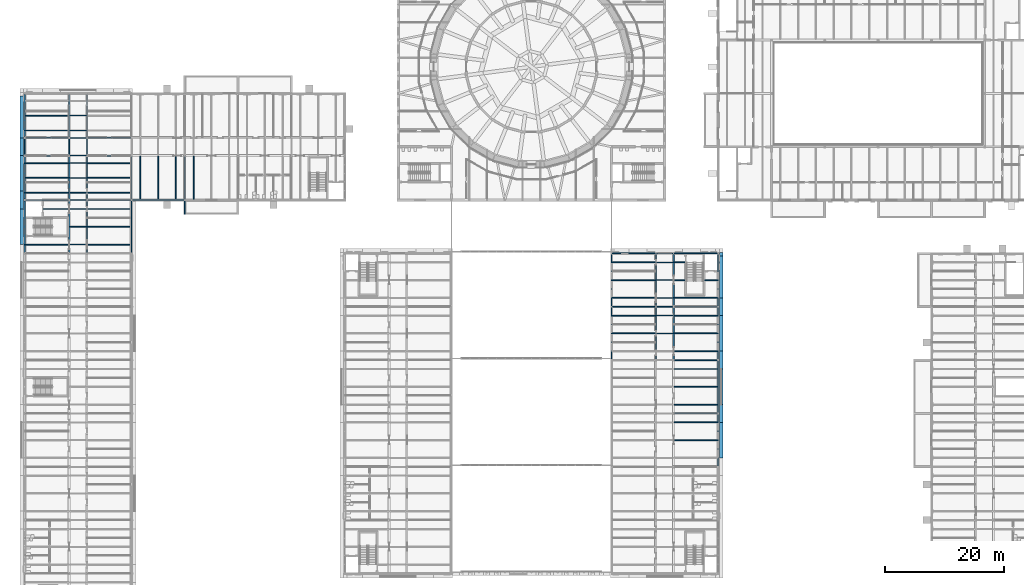
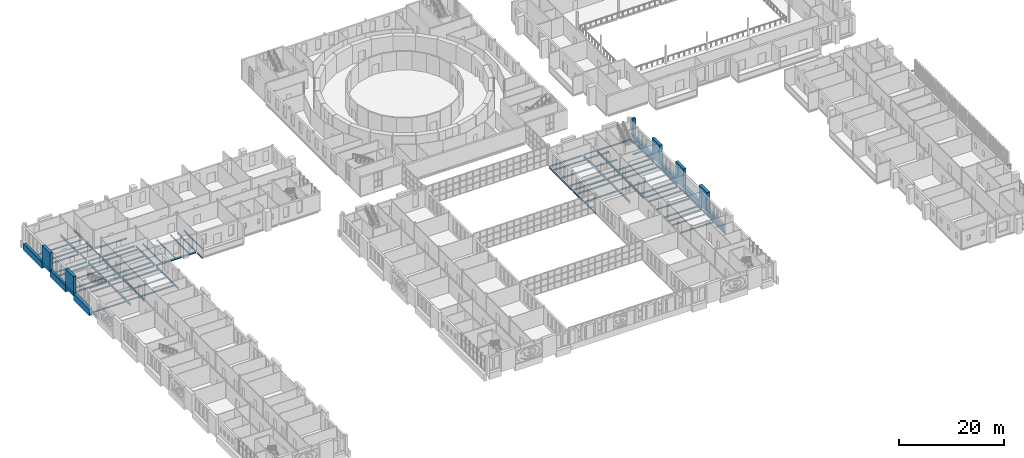
# One storey, part 40 of 131: 98 beams, 6 members.
"""IFC4 building model written with IfcOpenShell, lengths in metres."""

from ifc_helpers import new_model, si_unit, direction, frame, origin, origin_2d, place, context, subcontext, project, spatial, rectangle, i_section, extrude, material, material_profile, profile_set, type_object, element, save


model = new_model("IFC4")

# Units and contexts
model_context = context("Model", 3, precision=1e-05, world=origin(), true_north=direction((0.0, 1.0)))
body_context = subcontext(model_context, "Body", "Model", "MODEL_VIEW")
ifc_project = project(units=[si_unit("LENGTHUNIT", "METRE"), si_unit("AREAUNIT", "SQUARE_METRE"), si_unit("VOLUMEUNIT", "CUBIC_METRE"), si_unit("PLANEANGLEUNIT", "RADIAN"), si_unit("MASSUNIT", "GRAM", prefix="KILO")], contexts=[model_context])

# Site, building, storey
site_placement = place(None, origin())
site = spatial("IfcSite", under=ifc_project, at=site_placement, CompositionType="ELEMENT")
building_placement = place(site_placement, origin())
building = spatial("IfcBuilding", under=site, at=building_placement, Name="Golden Quay Civic Hall", CompositionType="ELEMENT")
storey_placement = place(building_placement, frame((0.0, 0.0, 9.89990234375)))
storey = spatial("IfcBuildingStorey", under=building, at=storey_placement, Name="L02", CompositionType="ELEMENT", Elevation=9.89990234375)

# Beam
ifc_material_1 = material(Name="Steel S355", Category="steel")
ifc_material_profile_1 = material_profile(ifc_material_1, i_section(OverallWidth=0.159912109375, OverallDepth=0.330078125, WebThickness=0.007568359375, FlangeThickness=0.011474609375, FilletRadius=0.01806640625, at=origin_2d()), Name="IPE 330")
ifc_profile_set_1 = profile_set([ifc_material_profile_1], Name="Steel S355")
beam_type_1 = type_object("IfcBeamType", Name="Loggia stub IPE 330", PredefinedType="BEAM", material=ifc_profile_set_1)
beam_1_placement = place(storey_placement, frame((27.0, 62.864990234375, -0.364990234375), z_axis=(0.0, -1.0, 0.0), x_axis=(1.0, 0.0, 0.0)))
element("IfcBeam", 1, at=beam_1_placement, inside=storey, type_object=beam_type_1, Name="Loggia stub IPE 330 L02 6", PredefinedType="BEAM", context=body_context, shape_type="SweptSolid", body=[
    extrude(i_section(OverallWidth=0.159912109375, OverallDepth=0.330078125, WebThickness=0.007568359375, FlangeThickness=0.011474609375, FilletRadius=0.01806640625, at=origin_2d()), origin(), (0.0, 0.0, 1.0), 2.215087890625),
])

# Members
ifc_material_2 = material(Name="Concrete C40/50", Category="concrete")
ifc_material_profile_2 = material_profile(ifc_material_2, rectangle(XDim=3.0, YDim=0.60009765625, at=origin_2d()), Name="RC 3000x600")
ifc_profile_set_2 = profile_set([ifc_material_profile_2], Name="Concrete C40/50")
member_type_1 = type_object("IfcMemberType", Name="Precast concrete facade pier 3000 x 600", PredefinedType="POST", material=ifc_profile_set_2)
for number, where, z_axis, x_axis, name in (
    (2, (-0.5, 63.0, 0.0), (0.0, 0.0, 1.0), (0.0, 1.0, 0.0), "Precast concrete facade pier 3000 x 600 L02 7"),
    (3, (-0.5, 72.0, 0.0), (0.0, 0.0, 1.0), (0.0, 1.0, 0.0), "Precast concrete facade pier 3000 x 600 L02 8"),
    (4, (117.5, 27.0, 0.0), (0.0, 0.0, 1.0), (0.0, 1.0, 0.0), "Precast concrete facade pier 3000 x 600 L02 30"),
    (5, (117.5, 36.0, 0.0), (0.0, 0.0, 1.0), (0.0, 1.0, 0.0), "Precast concrete facade pier 3000 x 600 L02 31"),
    (6, (117.5, 45.0, 0.0), (0.0, 0.0, 1.0), (0.0, 1.0, 0.0), "Precast concrete facade pier 3000 x 600 L02 32"),
):
    element("IfcMember", number, at=place(storey_placement, frame(where, z_axis=z_axis, x_axis=x_axis)), inside=storey, type_object=member_type_1, Name=name, PredefinedType="POST", context=body_context, shape_type="SweptSolid", body=[
        extrude(rectangle(XDim=3.0, YDim=0.60009765625, at=origin_2d()), origin(), (0.0, 0.0, 1.0), 4.5),
    ])
ifc_material_3 = material(Name="Concrete C40/50", Category="concrete")
ifc_material_profile_3 = material_profile(ifc_material_3, rectangle(XDim=0.60009765625, YDim=0.60009765625, at=origin_2d()), Name="RC 600x600")
ifc_profile_set_3 = profile_set([ifc_material_profile_3], Name="Concrete C40/50")
member_type_2 = type_object("IfcMemberType", Name="Precast concrete facade post 600 x 600", PredefinedType="POST", material=ifc_profile_set_3)
member_placement = place(storey_placement, frame((117.5, 53.89990234375, 0.0), z_axis=(0.0, 0.0, 1.0), x_axis=(1.0, 0.0, 0.0)))
element("IfcMember", 7, at=member_placement, inside=storey, type_object=member_type_2, Name="Precast concrete facade post 600 x 600 L02 12", PredefinedType="POST", context=body_context, shape_type="SweptSolid", body=[
    extrude(rectangle(XDim=0.60009765625, YDim=0.60009765625, at=origin_2d()), origin(), (0.0, 0.0, 1.0), 4.5),
])

# Beams
ifc_material_4 = material(Name="Concrete C40/50", Category="concrete")
ifc_material_profile_4 = material_profile(ifc_material_4, rectangle(XDim=0.60009765625, YDim=1.5, at=origin_2d()), Name="RC 600x1500")
ifc_profile_set_4 = profile_set([ifc_material_profile_4], Name="Concrete C40/50")
beam_type_2 = type_object("IfcBeamType", Name="Precast concrete spandrel beam 600 x 1500", PredefinedType="SPANDREL", material=ifc_profile_set_4)
beam_2_placement = place(storey_placement, frame((-0.5, 73.5, -0.14990234375), z_axis=(0.0, 1.0, 0.0), x_axis=(-1.0, 0.0, 0.0)))
element("IfcBeam", 8, at=beam_2_placement, inside=storey, type_object=beam_type_2, Name="Precast concrete spandrel beam 600 x 1500 L02 3", PredefinedType="SPANDREL", context=body_context, shape_type="SweptSolid", body=[
    extrude(rectangle(XDim=0.60009765625, YDim=1.5, at=origin_2d()), origin(), (0.0, 0.0, 1.0), 7.10009765625),
])
for number, where, z_axis, x_axis, name in (
    (9, (-0.5, 64.5, -0.14990234375), (0.0, 1.0, 0.0), (-1.0, 0.0, 0.0), "Precast concrete spandrel beam 600 x 1500 L02 6"),
    (10, (-0.5, 55.5, -0.14990234375), (0.0, 1.0, 0.0), (-1.0, 0.0, 0.0), "Precast concrete spandrel beam 600 x 1500 L02 7"),
):
    element("IfcBeam", number, at=place(storey_placement, frame(where, z_axis=z_axis, x_axis=x_axis)), inside=storey, type_object=beam_type_2, Name=name, PredefinedType="SPANDREL", context=body_context, shape_type="SweptSolid", body=[
        extrude(rectangle(XDim=0.60009765625, YDim=1.5, at=origin_2d()), origin(), (0.0, 0.0, 1.0), 6.0),
    ])
beam_3_placement = place(storey_placement, frame((117.5, 46.5, -0.14990234375), z_axis=(0.0, 1.0, 0.0), x_axis=(-1.0, 0.0, 0.0)))
element("IfcBeam", 11, at=beam_3_placement, inside=storey, type_object=beam_type_2, Name="Precast concrete spandrel beam 600 x 1500 L02 32", PredefinedType="SPANDREL", context=body_context, shape_type="SweptSolid", body=[
    extrude(rectangle(XDim=0.60009765625, YDim=1.5, at=origin_2d()), origin(), (0.0, 0.0, 1.0), 7.10009765625),
])
for number, where, z_axis, x_axis, name in (
    (12, (117.5, 37.5, -0.14990234375), (0.0, 1.0, 0.0), (-1.0, 0.0, 0.0), "Precast concrete spandrel beam 600 x 1500 L02 33"),
    (13, (117.5, 28.5, -0.14990234375), (0.0, 1.0, 0.0), (-1.0, 0.0, 0.0), "Precast concrete spandrel beam 600 x 1500 L02 34"),
    (14, (117.5, 19.5, -0.14990234375), (0.0, 1.0, 0.0), (-1.0, 0.0, 0.0), "Precast concrete spandrel beam 600 x 1500 L02 35"),
):
    element("IfcBeam", number, at=place(storey_placement, frame(where, z_axis=z_axis, x_axis=x_axis)), inside=storey, type_object=beam_type_2, Name=name, PredefinedType="SPANDREL", context=body_context, shape_type="SweptSolid", body=[
        extrude(rectangle(XDim=0.60009765625, YDim=1.5, at=origin_2d()), origin(), (0.0, 0.0, 1.0), 6.0),
    ])
ifc_material_5 = material(Name="Steel S355", Category="steel")
ifc_material_profile_5 = material_profile(ifc_material_5, i_section(OverallWidth=0.10009765625, OverallDepth=0.199951171875, WebThickness=0.005615234375, FlangeThickness=0.008544921875, FilletRadius=0.011962890625, at=origin_2d()), Name="IPE 200")
ifc_profile_set_5 = profile_set([ifc_material_profile_5], Name="Steel S355")
beam_type_3 = type_object("IfcBeamType", Name="Steel beam IPE 200", PredefinedType="BEAM", material=ifc_profile_set_5)
for number, where, z_axis, x_axis, name in (
    (15, (7.64990234375, 63.0, -0.2998046875), (1.0, 0.0, 0.0), (0.0, 1.0, 0.0), "Beam S63-7.5"),
    (16, (7.64990234375, 70.5, -0.2998046875), (1.0, 0.0, 0.0), (0.0, 1.0, 0.0), "Beam S70.5-7.5"),
    (17, (7.64990234375, 73.5, -0.2998046875), (1.0, 0.0, 0.0), (0.0, 1.0, 0.0), "Beam S73.5-7.5"),
    (18, (106.64990234375, 45.0, -0.2998046875), (1.0, 0.0, 0.0), (0.0, 1.0, 0.0), "Beam S45-106.5"),
):
    element("IfcBeam", number, at=place(storey_placement, frame(where, z_axis=z_axis, x_axis=x_axis)), inside=storey, type_object=beam_type_3, Name=name, PredefinedType="BEAM", context=body_context, shape_type="SweptSolid", body=[
        extrude(i_section(OverallWidth=0.10009765625, OverallDepth=0.199951171875, WebThickness=0.005615234375, FlangeThickness=0.008544921875, FilletRadius=0.011962890625, at=origin_2d()), origin(), (0.0, 0.0, 1.0), 2.7001953125),
    ])
beam_4_placement = place(storey_placement, frame((106.639892578125, 54.0, -0.2998046875), z_axis=(1.0, 0.0, 0.0), x_axis=(0.0, 1.0, 0.0)))
element("IfcBeam", 19, at=beam_4_placement, inside=storey, type_object=beam_type_3, Name="Beam S54-106.5", PredefinedType="BEAM", context=body_context, shape_type="SweptSolid", body=[
    extrude(i_section(OverallWidth=0.10009765625, OverallDepth=0.199951171875, WebThickness=0.005615234375, FlangeThickness=0.008544921875, FilletRadius=0.011962890625, at=origin_2d()), origin(), (0.0, 0.0, 1.0), 2.72021484375),
])
ifc_material_6 = material(Name="Steel S355", Category="steel")
ifc_material_profile_6 = material_profile(ifc_material_6, i_section(OverallWidth=0.135009765625, OverallDepth=0.27001953125, WebThickness=0.006591796875, FlangeThickness=0.01025390625, FilletRadius=0.014892578125, at=origin_2d()), Name="IPE 270")
ifc_profile_set_6 = profile_set([ifc_material_profile_6], Name="Steel S355")
beam_type_4 = type_object("IfcBeamType", Name="Steel beam IPE 270", PredefinedType="BEAM", material=ifc_profile_set_6)
beam_5_placement = place(storey_placement, frame((0.0, 70.64990234375, -0.3349609375), z_axis=(0.0, 1.0, 0.0), x_axis=(-1.0, 0.0, 0.0)))
element("IfcBeam", 20, at=beam_5_placement, inside=storey, type_object=beam_type_4, Name="Beam L0-70.5", PredefinedType="BEAM", context=body_context, shape_type="SweptSolid", body=[
    extrude(i_section(OverallWidth=0.135009765625, OverallDepth=0.27001953125, WebThickness=0.006591796875, FlangeThickness=0.01025390625, FilletRadius=0.014892578125, at=origin_2d()), origin(), (0.0, 0.0, 1.0), 2.7001953125),
])
for number, where, z_axis, x_axis, name in (
    (21, (7.5, 70.679931640625, -0.3349609375), (0.0, 1.0, 0.0), (-1.0, 0.0, 0.0), "Beam L7.5-70.5"),
    (22, (10.5, 70.679931640625, -0.3349609375), (0.0, 1.0, 0.0), (-1.0, 0.0, 0.0), "Beam L10.5-70.5"),
):
    element("IfcBeam", number, at=place(storey_placement, frame(where, z_axis=z_axis, x_axis=x_axis)), inside=storey, type_object=beam_type_4, Name=name, PredefinedType="BEAM", context=body_context, shape_type="SweptSolid", body=[
        extrude(i_section(OverallWidth=0.135009765625, OverallDepth=0.27001953125, WebThickness=0.006591796875, FlangeThickness=0.01025390625, FilletRadius=0.014892578125, at=origin_2d()), origin(), (0.0, 0.0, 1.0), 2.64013671875),
    ])
ifc_material_7 = material(Name="Steel S355", Category="steel")
ifc_material_profile_7 = material_profile(ifc_material_7, i_section(OverallWidth=0.159912109375, OverallDepth=0.330078125, WebThickness=0.007568359375, FlangeThickness=0.011474609375, FilletRadius=0.01806640625, at=origin_2d()), Name="IPE 330")
ifc_profile_set_7 = profile_set([ifc_material_profile_7], Name="Steel S355")
beam_type_5 = type_object("IfcBeamType", Name="Steel beam IPE 330", PredefinedType="BEAM", material=ifc_profile_set_7)
for number, where, z_axis, x_axis, name in (
    (23, (0.14990234375, 63.0, -0.364990234375), (1.0, 0.0, 0.0), (0.0, 1.0, 0.0), "Beam S63-0"),
    (24, (10.64990234375, 63.0, -0.364990234375), (1.0, 0.0, 0.0), (0.0, 1.0, 0.0), "Beam S63-10.5"),
    (25, (0.14990234375, 70.5, -0.364990234375), (1.0, 0.0, 0.0), (0.0, 1.0, 0.0), "Beam S70.5-0"),
    (26, (10.64990234375, 70.5, -0.364990234375), (1.0, 0.0, 0.0), (0.0, 1.0, 0.0), "Beam S70.5-10.5"),
    (27, (0.14990234375, 73.5, -0.364990234375), (1.0, 0.0, 0.0), (0.0, 1.0, 0.0), "Beam S73.5-0"),
    (28, (10.64990234375, 73.5, -0.364990234375), (1.0, 0.0, 0.0), (0.0, 1.0, 0.0), "Beam S73.5-10.5"),
):
    element("IfcBeam", number, at=place(storey_placement, frame(where, z_axis=z_axis, x_axis=x_axis)), inside=storey, type_object=beam_type_5, Name=name, PredefinedType="BEAM", context=body_context, shape_type="SweptSolid", body=[
        extrude(i_section(OverallWidth=0.159912109375, OverallDepth=0.330078125, WebThickness=0.007568359375, FlangeThickness=0.011474609375, FilletRadius=0.01806640625, at=origin_2d()), origin(), (0.0, 0.0, 1.0), 7.2001953125),
    ])
beam_6_placement = place(storey_placement, frame((27.0, 63.14501953125, -0.364990234375), z_axis=(0.0, 1.0, 0.0), x_axis=(-1.0, 0.0, 0.0)))
element("IfcBeam", 29, at=beam_6_placement, inside=storey, type_object=beam_type_5, Name="Beam S27-63", PredefinedType="BEAM", context=body_context, shape_type="SweptSolid", body=[
    extrude(i_section(OverallWidth=0.159912109375, OverallDepth=0.330078125, WebThickness=0.007568359375, FlangeThickness=0.011474609375, FilletRadius=0.01806640625, at=origin_2d()), origin(), (0.0, 0.0, 1.0), 7.205078125),
])
for number, where, z_axis, x_axis, name in (
    (30, (109.64990234375, 27.0, -0.364990234375), (1.0, 0.0, 0.0), (0.0, 1.0, 0.0), "Beam S27-109.5"),
    (31, (109.64990234375, 36.0, -0.364990234375), (1.0, 0.0, 0.0), (0.0, 1.0, 0.0), "Beam S36-109.5"),
    (32, (99.139892578125, 45.0, -0.364990234375), (1.0, 0.0, 0.0), (0.0, 1.0, 0.0), "Beam S45-99"),
    (33, (109.64990234375, 45.0, -0.364990234375), (1.0, 0.0, 0.0), (0.0, 1.0, 0.0), "Beam S45-109.5"),
):
    element("IfcBeam", number, at=place(storey_placement, frame(where, z_axis=z_axis, x_axis=x_axis)), inside=storey, type_object=beam_type_5, Name=name, PredefinedType="BEAM", context=body_context, shape_type="SweptSolid", body=[
        extrude(i_section(OverallWidth=0.159912109375, OverallDepth=0.330078125, WebThickness=0.007568359375, FlangeThickness=0.011474609375, FilletRadius=0.01806640625, at=origin_2d()), origin(), (0.0, 0.0, 1.0), 7.210205078125),
    ])
for number, where, z_axis, x_axis, name in (
    (34, (99.139892578125, 54.0, -0.364990234375), (1.0, 0.0, 0.0), (0.0, 1.0, 0.0), "Beam S54-99"),
    (35, (109.639892578125, 54.0, -0.364990234375), (1.0, 0.0, 0.0), (0.0, 1.0, 0.0), "Beam S54-109.5"),
):
    element("IfcBeam", number, at=place(storey_placement, frame(where, z_axis=z_axis, x_axis=x_axis)), inside=storey, type_object=beam_type_5, Name=name, PredefinedType="BEAM", context=body_context, shape_type="SweptSolid", body=[
        extrude(i_section(OverallWidth=0.159912109375, OverallDepth=0.330078125, WebThickness=0.007568359375, FlangeThickness=0.011474609375, FilletRadius=0.01806640625, at=origin_2d()), origin(), (0.0, 0.0, 1.0), 7.22021484375),
    ])
ifc_material_8 = material(Name="Steel S355", Category="steel")
ifc_material_profile_8 = material_profile(ifc_material_8, i_section(OverallWidth=0.179931640625, OverallDepth=0.39990234375, WebThickness=0.008544921875, FlangeThickness=0.013427734375, FilletRadius=0.02099609375, at=origin_2d()), Name="IPE 400")
ifc_profile_set_8 = profile_set([ifc_material_profile_8], Name="Steel S355")
beam_type_6 = type_object("IfcBeamType", Name="Steel beam IPE 400", PredefinedType="BEAM", material=ifc_profile_set_8)
beam_7_placement = place(storey_placement, frame((0.0, 54.14990234375, -0.39990234375), z_axis=(0.0, 1.0, 0.0), x_axis=(-1.0, 0.0, 0.0)))
element("IfcBeam", 36, at=beam_7_placement, inside=storey, type_object=beam_type_6, Name="Beam L0-54", PredefinedType="BEAM", context=body_context, shape_type="SweptSolid", body=[
    extrude(i_section(OverallWidth=0.179931640625, OverallDepth=0.39990234375, WebThickness=0.008544921875, FlangeThickness=0.013427734375, FilletRadius=0.02099609375, at=origin_2d()), origin(), (0.0, 0.0, 1.0), 8.7001953125),
])
for number, where, z_axis, x_axis, name in (
    (37, (0.0, 63.14990234375, -0.39990234375), (0.0, 1.0, 0.0), (-1.0, 0.0, 0.0), "Beam L0-63"),
    (38, (0.0, 73.64990234375, -0.39990234375), (0.0, 1.0, 0.0), (-1.0, 0.0, 0.0), "Beam L0-73.5"),
):
    element("IfcBeam", number, at=place(storey_placement, frame(where, z_axis=z_axis, x_axis=x_axis)), inside=storey, type_object=beam_type_6, Name=name, PredefinedType="BEAM", context=body_context, shape_type="SweptSolid", body=[
        extrude(i_section(OverallWidth=0.179931640625, OverallDepth=0.39990234375, WebThickness=0.008544921875, FlangeThickness=0.013427734375, FilletRadius=0.02099609375, at=origin_2d()), origin(), (0.0, 0.0, 1.0), 7.2001953125),
    ])
beam_8_placement = place(storey_placement, frame((18.0, 54.14990234375, -0.39990234375), z_axis=(0.0, 1.0, 0.0), x_axis=(-1.0, 0.0, 0.0)))
element("IfcBeam", 39, at=beam_8_placement, inside=storey, type_object=beam_type_6, Name="Beam L18-54", PredefinedType="BEAM", context=body_context, shape_type="SweptSolid", body=[
    extrude(i_section(OverallWidth=0.179931640625, OverallDepth=0.39990234375, WebThickness=0.008544921875, FlangeThickness=0.013427734375, FilletRadius=0.02099609375, at=origin_2d()), origin(), (0.0, 0.0, 1.0), 8.7001953125),
])
beam_9_placement = place(storey_placement, frame((18.0, 63.14990234375, -0.39990234375), z_axis=(0.0, 1.0, 0.0), x_axis=(-1.0, 0.0, 0.0)))
element("IfcBeam", 40, at=beam_9_placement, inside=storey, type_object=beam_type_6, Name="Beam L18-63", PredefinedType="BEAM", context=body_context, shape_type="SweptSolid", body=[
    extrude(i_section(OverallWidth=0.179931640625, OverallDepth=0.39990234375, WebThickness=0.008544921875, FlangeThickness=0.013427734375, FilletRadius=0.02099609375, at=origin_2d()), origin(), (0.0, 0.0, 1.0), 7.2001953125),
])
beam_10_placement = place(storey_placement, frame((18.14990234375, 63.0, -0.39990234375), z_axis=(1.0, 0.0, 0.0), x_axis=(0.0, 1.0, 0.0)))
element("IfcBeam", 41, at=beam_10_placement, inside=storey, type_object=beam_type_6, Name="Beam L63-18", PredefinedType="BEAM", context=body_context, shape_type="SweptSolid", body=[
    extrude(i_section(OverallWidth=0.179931640625, OverallDepth=0.39990234375, WebThickness=0.008544921875, FlangeThickness=0.013427734375, FilletRadius=0.02099609375, at=origin_2d()), origin(), (0.0, 0.0, 1.0), 8.7001953125),
])
for number, where, z_axis, x_axis, name in (
    (42, (99.0, 36.135009765625, -0.39990234375), (0.0, 1.0, 0.0), (-1.0, 0.0, 0.0), "Beam L99-36"),
    (43, (99.0, 45.135009765625, -0.39990234375), (0.0, 1.0, 0.0), (-1.0, 0.0, 0.0), "Beam L99-45"),
    (44, (117.0, 18.135009765625, -0.39990234375), (0.0, 1.0, 0.0), (-1.0, 0.0, 0.0), "Beam L117-18"),
    (45, (117.0, 27.135009765625, -0.39990234375), (0.0, 1.0, 0.0), (-1.0, 0.0, 0.0), "Beam L117-27"),
    (46, (117.0, 36.135009765625, -0.39990234375), (0.0, 1.0, 0.0), (-1.0, 0.0, 0.0), "Beam L117-36"),
    (47, (117.0, 45.135009765625, -0.39990234375), (0.0, 1.0, 0.0), (-1.0, 0.0, 0.0), "Beam L117-45"),
):
    element("IfcBeam", number, at=place(storey_placement, frame(where, z_axis=z_axis, x_axis=x_axis)), inside=storey, type_object=beam_type_6, Name=name, PredefinedType="BEAM", context=body_context, shape_type="SweptSolid", body=[
        extrude(i_section(OverallWidth=0.179931640625, OverallDepth=0.39990234375, WebThickness=0.008544921875, FlangeThickness=0.013427734375, FilletRadius=0.02099609375, at=origin_2d()), origin(), (0.0, 0.0, 1.0), 8.72998046875),
    ])
ifc_material_9 = material(Name="Steel S355", Category="steel")
ifc_material_profile_9 = material_profile(ifc_material_9, i_section(OverallWidth=0.199951171875, OverallDepth=0.5, WebThickness=0.01025390625, FlangeThickness=0.01611328125, FilletRadius=0.02099609375, at=origin_2d()), Name="IPE 500")
ifc_profile_set_9 = profile_set([ifc_material_profile_9], Name="Steel S355")
beam_type_7 = type_object("IfcBeamType", Name="Steel beam IPE 500", PredefinedType="BEAM", material=ifc_profile_set_9)
beam_11_placement = place(storey_placement, frame((7.5, 54.179931640625, -0.449951171875), z_axis=(0.0, 1.0, 0.0), x_axis=(-1.0, 0.0, 0.0)))
element("IfcBeam", 48, at=beam_11_placement, inside=storey, type_object=beam_type_7, Name="Beam L7.5-54", PredefinedType="BEAM", context=body_context, shape_type="SweptSolid", body=[
    extrude(i_section(OverallWidth=0.199951171875, OverallDepth=0.5, WebThickness=0.01025390625, FlangeThickness=0.01611328125, FilletRadius=0.02099609375, at=origin_2d()), origin(), (0.0, 0.0, 1.0), 8.64013671875),
])
beam_12_placement = place(storey_placement, frame((7.5, 63.179931640625, -0.449951171875), z_axis=(0.0, 1.0, 0.0), x_axis=(-1.0, 0.0, 0.0)))
element("IfcBeam", 49, at=beam_12_placement, inside=storey, type_object=beam_type_7, Name="Beam L7.5-63", PredefinedType="BEAM", context=body_context, shape_type="SweptSolid", body=[
    extrude(i_section(OverallWidth=0.199951171875, OverallDepth=0.5, WebThickness=0.01025390625, FlangeThickness=0.01611328125, FilletRadius=0.02099609375, at=origin_2d()), origin(), (0.0, 0.0, 1.0), 7.14013671875),
])
beam_13_placement = place(storey_placement, frame((7.5, 73.679931640625, -0.449951171875), z_axis=(0.0, 1.0, 0.0), x_axis=(-1.0, 0.0, 0.0)))
element("IfcBeam", 50, at=beam_13_placement, inside=storey, type_object=beam_type_7, Name="Beam L7.5-73.5", PredefinedType="BEAM", context=body_context, shape_type="SweptSolid", body=[
    extrude(i_section(OverallWidth=0.199951171875, OverallDepth=0.5, WebThickness=0.01025390625, FlangeThickness=0.01611328125, FilletRadius=0.02099609375, at=origin_2d()), origin(), (0.0, 0.0, 1.0), 7.170166015625),
])
beam_14_placement = place(storey_placement, frame((10.5, 54.179931640625, -0.449951171875), z_axis=(0.0, 1.0, 0.0), x_axis=(-1.0, 0.0, 0.0)))
element("IfcBeam", 51, at=beam_14_placement, inside=storey, type_object=beam_type_7, Name="Beam L10.5-54", PredefinedType="BEAM", context=body_context, shape_type="SweptSolid", body=[
    extrude(i_section(OverallWidth=0.199951171875, OverallDepth=0.5, WebThickness=0.01025390625, FlangeThickness=0.01611328125, FilletRadius=0.02099609375, at=origin_2d()), origin(), (0.0, 0.0, 1.0), 8.64013671875),
])
beam_15_placement = place(storey_placement, frame((10.5, 63.179931640625, -0.449951171875), z_axis=(0.0, 1.0, 0.0), x_axis=(-1.0, 0.0, 0.0)))
element("IfcBeam", 52, at=beam_15_placement, inside=storey, type_object=beam_type_7, Name="Beam L10.5-63", PredefinedType="BEAM", context=body_context, shape_type="SweptSolid", body=[
    extrude(i_section(OverallWidth=0.199951171875, OverallDepth=0.5, WebThickness=0.01025390625, FlangeThickness=0.01611328125, FilletRadius=0.02099609375, at=origin_2d()), origin(), (0.0, 0.0, 1.0), 7.14013671875),
])
beam_16_placement = place(storey_placement, frame((10.5, 73.679931640625, -0.449951171875), z_axis=(0.0, 1.0, 0.0), x_axis=(-1.0, 0.0, 0.0)))
element("IfcBeam", 53, at=beam_16_placement, inside=storey, type_object=beam_type_7, Name="Beam L10.5-73.5", PredefinedType="BEAM", context=body_context, shape_type="SweptSolid", body=[
    extrude(i_section(OverallWidth=0.199951171875, OverallDepth=0.5, WebThickness=0.01025390625, FlangeThickness=0.01611328125, FilletRadius=0.02099609375, at=origin_2d()), origin(), (0.0, 0.0, 1.0), 7.170166015625),
])
beam_17_placement = place(storey_placement, frame((106.5, 36.14501953125, -0.449951171875), z_axis=(0.0, 1.0, 0.0), x_axis=(-1.0, 0.0, 0.0)))
element("IfcBeam", 54, at=beam_17_placement, inside=storey, type_object=beam_type_7, Name="Beam L106.5-36", PredefinedType="BEAM", context=body_context, shape_type="SweptSolid", body=[
    extrude(i_section(OverallWidth=0.199951171875, OverallDepth=0.5, WebThickness=0.01025390625, FlangeThickness=0.01611328125, FilletRadius=0.02099609375, at=origin_2d()), origin(), (0.0, 0.0, 1.0), 8.7099609375),
])
beam_18_placement = place(storey_placement, frame((106.5, 45.14501953125, -0.449951171875), z_axis=(0.0, 1.0, 0.0), x_axis=(-1.0, 0.0, 0.0)))
element("IfcBeam", 55, at=beam_18_placement, inside=storey, type_object=beam_type_7, Name="Beam L106.5-45", PredefinedType="BEAM", context=body_context, shape_type="SweptSolid", body=[
    extrude(i_section(OverallWidth=0.199951171875, OverallDepth=0.5, WebThickness=0.01025390625, FlangeThickness=0.01611328125, FilletRadius=0.02099609375, at=origin_2d()), origin(), (0.0, 0.0, 1.0), 8.719970703125),
])
beam_19_placement = place(storey_placement, frame((109.5, 36.14501953125, -0.449951171875), z_axis=(0.0, 1.0, 0.0), x_axis=(-1.0, 0.0, 0.0)))
element("IfcBeam", 56, at=beam_19_placement, inside=storey, type_object=beam_type_7, Name="Beam L109.5-36", PredefinedType="BEAM", context=body_context, shape_type="SweptSolid", body=[
    extrude(i_section(OverallWidth=0.199951171875, OverallDepth=0.5, WebThickness=0.01025390625, FlangeThickness=0.01611328125, FilletRadius=0.02099609375, at=origin_2d()), origin(), (0.0, 0.0, 1.0), 8.7099609375),
])
beam_20_placement = place(storey_placement, frame((109.5, 45.14501953125, -0.449951171875), z_axis=(0.0, 1.0, 0.0), x_axis=(-1.0, 0.0, 0.0)))
element("IfcBeam", 57, at=beam_20_placement, inside=storey, type_object=beam_type_7, Name="Beam L109.5-45", PredefinedType="BEAM", context=body_context, shape_type="SweptSolid", body=[
    extrude(i_section(OverallWidth=0.199951171875, OverallDepth=0.5, WebThickness=0.01025390625, FlangeThickness=0.01611328125, FilletRadius=0.02099609375, at=origin_2d()), origin(), (0.0, 0.0, 1.0), 8.719970703125),
])
ifc_material_10 = material(Name="Steel S355", Category="steel")
ifc_material_profile_10 = material_profile(ifc_material_10, i_section(OverallWidth=0.10009765625, OverallDepth=0.199951171875, WebThickness=0.005615234375, FlangeThickness=0.008544921875, FilletRadius=0.011962890625, at=origin_2d()), Name="IPE 200")
ifc_profile_set_10 = profile_set([ifc_material_profile_10], Name="Steel S355")
beam_type_8 = type_object("IfcBeamType", Name="Steel joist IPE 200", PredefinedType="JOIST", material=ifc_profile_set_10)
for number, where, z_axis, x_axis, name in (
    (58, (7.60009765625, 55.5, -0.2998046875), (1.0, 0.0, 0.0), (0.0, 1.0, 0.0), "Joist J55.5-7.5"),
    (59, (7.60009765625, 58.5, -0.2998046875), (1.0, 0.0, 0.0), (0.0, 1.0, 0.0), "Joist J58.5-7.5"),
    (60, (7.60009765625, 61.5, -0.2998046875), (1.0, 0.0, 0.0), (0.0, 1.0, 0.0), "Joist J61.5-7.5"),
    (61, (7.60009765625, 64.25, -0.2998046875), (1.0, 0.0, 0.0), (0.0, 1.0, 0.0), "Joist J64.25-7.5"),
    (62, (7.60009765625, 66.75, -0.2998046875), (1.0, 0.0, 0.0), (0.0, 1.0, 0.0), "Joist J66.75-7.5"),
    (63, (7.60009765625, 69.25, -0.2998046875), (1.0, 0.0, 0.0), (0.0, 1.0, 0.0), "Joist J69.25-7.5"),
    (64, (7.60009765625, 74.75, -0.2998046875), (1.0, 0.0, 0.0), (0.0, 1.0, 0.0), "Joist J74.75-7.5"),
    (65, (7.60009765625, 77.25, -0.2998046875), (1.0, 0.0, 0.0), (0.0, 1.0, 0.0), "Joist J77.25-7.5"),
    (66, (106.60009765625, 40.5, -0.2998046875), (1.0, 0.0, 0.0), (0.0, 1.0, 0.0), "Joist J40.5-106.5"),
    (67, (106.60009765625, 43.5, -0.2998046875), (1.0, 0.0, 0.0), (0.0, 1.0, 0.0), "Joist J43.5-106.5"),
    (68, (106.60009765625, 46.5, -0.2998046875), (1.0, 0.0, 0.0), (0.0, 1.0, 0.0), "Joist J46.5-106.5"),
    (69, (106.60009765625, 49.5, -0.2998046875), (1.0, 0.0, 0.0), (0.0, 1.0, 0.0), "Joist J49.5-106.5"),
    (70, (106.60009765625, 52.5, -0.2998046875), (1.0, 0.0, 0.0), (0.0, 1.0, 0.0), "Joist J52.5-106.5"),
):
    element("IfcBeam", number, at=place(storey_placement, frame(where, z_axis=z_axis, x_axis=x_axis)), inside=storey, type_object=beam_type_8, Name=name, PredefinedType="JOIST", context=body_context, shape_type="SweptSolid", body=[
        extrude(i_section(OverallWidth=0.10009765625, OverallDepth=0.199951171875, WebThickness=0.005615234375, FlangeThickness=0.008544921875, FilletRadius=0.011962890625, at=origin_2d()), origin(), (0.0, 0.0, 1.0), 2.7998046875),
    ])
ifc_material_11 = material(Name="Steel S355", Category="steel")
ifc_material_profile_11 = material_profile(ifc_material_11, i_section(OverallWidth=0.159912109375, OverallDepth=0.330078125, WebThickness=0.007568359375, FlangeThickness=0.011474609375, FilletRadius=0.01806640625, at=origin_2d()), Name="IPE 330")
ifc_profile_set_11 = profile_set([ifc_material_profile_11], Name="Steel S355")
beam_type_9 = type_object("IfcBeamType", Name="Steel joist IPE 330", PredefinedType="JOIST", material=ifc_profile_set_11)
for number, where, z_axis, x_axis, name in (
    (71, (0.090087890625, 55.5, -0.364990234375), (1.0, 0.0, 0.0), (0.0, 1.0, 0.0), "Joist J55.5-0"),
    (72, (10.60009765625, 55.5, -0.364990234375), (1.0, 0.0, 0.0), (0.0, 1.0, 0.0), "Joist J55.5-10.5"),
    (73, (10.60009765625, 58.5, -0.364990234375), (1.0, 0.0, 0.0), (0.0, 1.0, 0.0), "Joist J58.5-10.5"),
):
    element("IfcBeam", number, at=place(storey_placement, frame(where, z_axis=z_axis, x_axis=x_axis)), inside=storey, type_object=beam_type_9, Name=name, PredefinedType="JOIST", context=body_context, shape_type="SweptSolid", body=[
        extrude(i_section(OverallWidth=0.159912109375, OverallDepth=0.330078125, WebThickness=0.007568359375, FlangeThickness=0.011474609375, FilletRadius=0.01806640625, at=origin_2d()), origin(), (0.0, 0.0, 1.0), 7.309814453125),
    ])
beam_21_placement = place(storey_placement, frame((3.14990234375, 61.5, -0.364990234375), z_axis=(1.0, 0.0, 0.0), x_axis=(0.0, 1.0, 0.0)))
element("IfcBeam", 74, at=beam_21_placement, inside=storey, type_object=beam_type_9, Name="Joist J61.5-0-1", PredefinedType="JOIST", context=body_context, shape_type="SweptSolid", body=[
    extrude(i_section(OverallWidth=0.159912109375, OverallDepth=0.330078125, WebThickness=0.007568359375, FlangeThickness=0.011474609375, FilletRadius=0.01806640625, at=origin_2d()), origin(), (0.0, 0.0, 1.0), 4.25),
])
for number, where, z_axis, x_axis, name in (
    (75, (10.60009765625, 61.5, -0.364990234375), (1.0, 0.0, 0.0), (0.0, 1.0, 0.0), "Joist J61.5-10.5"),
    (76, (0.090087890625, 64.25, -0.364990234375), (1.0, 0.0, 0.0), (0.0, 1.0, 0.0), "Joist J64.25-0"),
    (77, (10.60009765625, 64.25, -0.364990234375), (1.0, 0.0, 0.0), (0.0, 1.0, 0.0), "Joist J64.25-10.5"),
    (78, (0.090087890625, 66.75, -0.364990234375), (1.0, 0.0, 0.0), (0.0, 1.0, 0.0), "Joist J66.75-0"),
    (79, (10.60009765625, 66.75, -0.364990234375), (1.0, 0.0, 0.0), (0.0, 1.0, 0.0), "Joist J66.75-10.5"),
    (80, (0.090087890625, 69.25, -0.364990234375), (1.0, 0.0, 0.0), (0.0, 1.0, 0.0), "Joist J69.25-0"),
    (81, (10.60009765625, 69.25, -0.364990234375), (1.0, 0.0, 0.0), (0.0, 1.0, 0.0), "Joist J69.25-10.5"),
    (82, (0.090087890625, 74.75, -0.364990234375), (1.0, 0.0, 0.0), (0.0, 1.0, 0.0), "Joist J74.75-0"),
    (83, (0.090087890625, 77.25, -0.364990234375), (1.0, 0.0, 0.0), (0.0, 1.0, 0.0), "Joist J77.25-0"),
    (84, (19.5, 63.090087890625, -0.364990234375), (0.0, 1.0, 0.0), (-1.0, 0.0, 0.0), "Joist J19.5-63"),
    (85, (22.5, 63.090087890625, -0.364990234375), (0.0, 1.0, 0.0), (-1.0, 0.0, 0.0), "Joist J22.5-63"),
    (86, (25.5, 63.090087890625, -0.364990234375), (0.0, 1.0, 0.0), (-1.0, 0.0, 0.0), "Joist J25.5-63"),
    (87, (28.5, 63.090087890625, -0.364990234375), (0.0, 1.0, 0.0), (-1.0, 0.0, 0.0), "Joist J28.5-63"),
    (88, (109.60009765625, 22.5, -0.364990234375), (1.0, 0.0, 0.0), (0.0, 1.0, 0.0), "Joist J22.5-109.5"),
    (89, (109.60009765625, 25.5, -0.364990234375), (1.0, 0.0, 0.0), (0.0, 1.0, 0.0), "Joist J25.5-109.5"),
    (90, (109.60009765625, 28.5, -0.364990234375), (1.0, 0.0, 0.0), (0.0, 1.0, 0.0), "Joist J28.5-109.5"),
    (91, (109.60009765625, 31.5, -0.364990234375), (1.0, 0.0, 0.0), (0.0, 1.0, 0.0), "Joist J31.5-109.5"),
    (92, (109.60009765625, 34.5, -0.364990234375), (1.0, 0.0, 0.0), (0.0, 1.0, 0.0), "Joist J34.5-109.5"),
    (93, (109.60009765625, 37.5, -0.364990234375), (1.0, 0.0, 0.0), (0.0, 1.0, 0.0), "Joist J37.5-109.5"),
    (94, (99.090087890625, 40.5, -0.364990234375), (1.0, 0.0, 0.0), (0.0, 1.0, 0.0), "Joist J40.5-99"),
    (95, (109.60009765625, 40.5, -0.364990234375), (1.0, 0.0, 0.0), (0.0, 1.0, 0.0), "Joist J40.5-109.5"),
    (96, (99.090087890625, 43.5, -0.364990234375), (1.0, 0.0, 0.0), (0.0, 1.0, 0.0), "Joist J43.5-99"),
    (97, (109.60009765625, 43.5, -0.364990234375), (1.0, 0.0, 0.0), (0.0, 1.0, 0.0), "Joist J43.5-109.5"),
    (98, (99.090087890625, 46.5, -0.364990234375), (1.0, 0.0, 0.0), (0.0, 1.0, 0.0), "Joist J46.5-99"),
    (99, (109.60009765625, 46.5, -0.364990234375), (1.0, 0.0, 0.0), (0.0, 1.0, 0.0), "Joist J46.5-109.5"),
    (100, (99.090087890625, 49.5, -0.364990234375), (1.0, 0.0, 0.0), (0.0, 1.0, 0.0), "Joist J49.5-99"),
):
    element("IfcBeam", number, at=place(storey_placement, frame(where, z_axis=z_axis, x_axis=x_axis)), inside=storey, type_object=beam_type_9, Name=name, PredefinedType="JOIST", context=body_context, shape_type="SweptSolid", body=[
        extrude(i_section(OverallWidth=0.159912109375, OverallDepth=0.330078125, WebThickness=0.007568359375, FlangeThickness=0.011474609375, FilletRadius=0.01806640625, at=origin_2d()), origin(), (0.0, 0.0, 1.0), 7.309814453125),
    ])
beam_22_placement = place(storey_placement, frame((109.60009765625, 49.5, -0.364990234375), z_axis=(1.0, 0.0, 0.0), x_axis=(0.0, 1.0, 0.0)))
element("IfcBeam", 101, at=beam_22_placement, inside=storey, type_object=beam_type_9, Name="Joist J49.5-109.5-0", PredefinedType="JOIST", context=body_context, shape_type="SweptSolid", body=[
    extrude(i_section(OverallWidth=0.159912109375, OverallDepth=0.330078125, WebThickness=0.007568359375, FlangeThickness=0.011474609375, FilletRadius=0.01806640625, at=origin_2d()), origin(), (0.0, 0.0, 1.0), 1.7998046875),
])
beam_23_placement = place(storey_placement, frame((114.75, 49.5, -0.364990234375), z_axis=(1.0, 0.0, 0.0), x_axis=(0.0, 1.0, 0.0)))
element("IfcBeam", 102, at=beam_23_placement, inside=storey, type_object=beam_type_9, Name="Joist J49.5-109.5-1", PredefinedType="JOIST", context=body_context, shape_type="SweptSolid", body=[
    extrude(i_section(OverallWidth=0.159912109375, OverallDepth=0.330078125, WebThickness=0.007568359375, FlangeThickness=0.011474609375, FilletRadius=0.01806640625, at=origin_2d()), origin(), (0.0, 0.0, 1.0), 2.159912109375),
])
beam_24_placement = place(storey_placement, frame((99.090087890625, 52.5, -0.364990234375), z_axis=(1.0, 0.0, 0.0), x_axis=(0.0, 1.0, 0.0)))
element("IfcBeam", 103, at=beam_24_placement, inside=storey, type_object=beam_type_9, Name="Joist J52.5-99", PredefinedType="JOIST", context=body_context, shape_type="SweptSolid", body=[
    extrude(i_section(OverallWidth=0.159912109375, OverallDepth=0.330078125, WebThickness=0.007568359375, FlangeThickness=0.011474609375, FilletRadius=0.01806640625, at=origin_2d()), origin(), (0.0, 0.0, 1.0), 7.309814453125),
])
beam_25_placement = place(storey_placement, frame((109.60009765625, 52.5, -0.364990234375), z_axis=(1.0, 0.0, 0.0), x_axis=(0.0, 1.0, 0.0)))
element("IfcBeam", 104, at=beam_25_placement, inside=storey, type_object=beam_type_9, Name="Joist J52.5-109.5-0", PredefinedType="JOIST", context=body_context, shape_type="SweptSolid", body=[
    extrude(i_section(OverallWidth=0.159912109375, OverallDepth=0.330078125, WebThickness=0.007568359375, FlangeThickness=0.011474609375, FilletRadius=0.01806640625, at=origin_2d()), origin(), (0.0, 0.0, 1.0), 1.7998046875),
])

save(model, "model.ifc")
